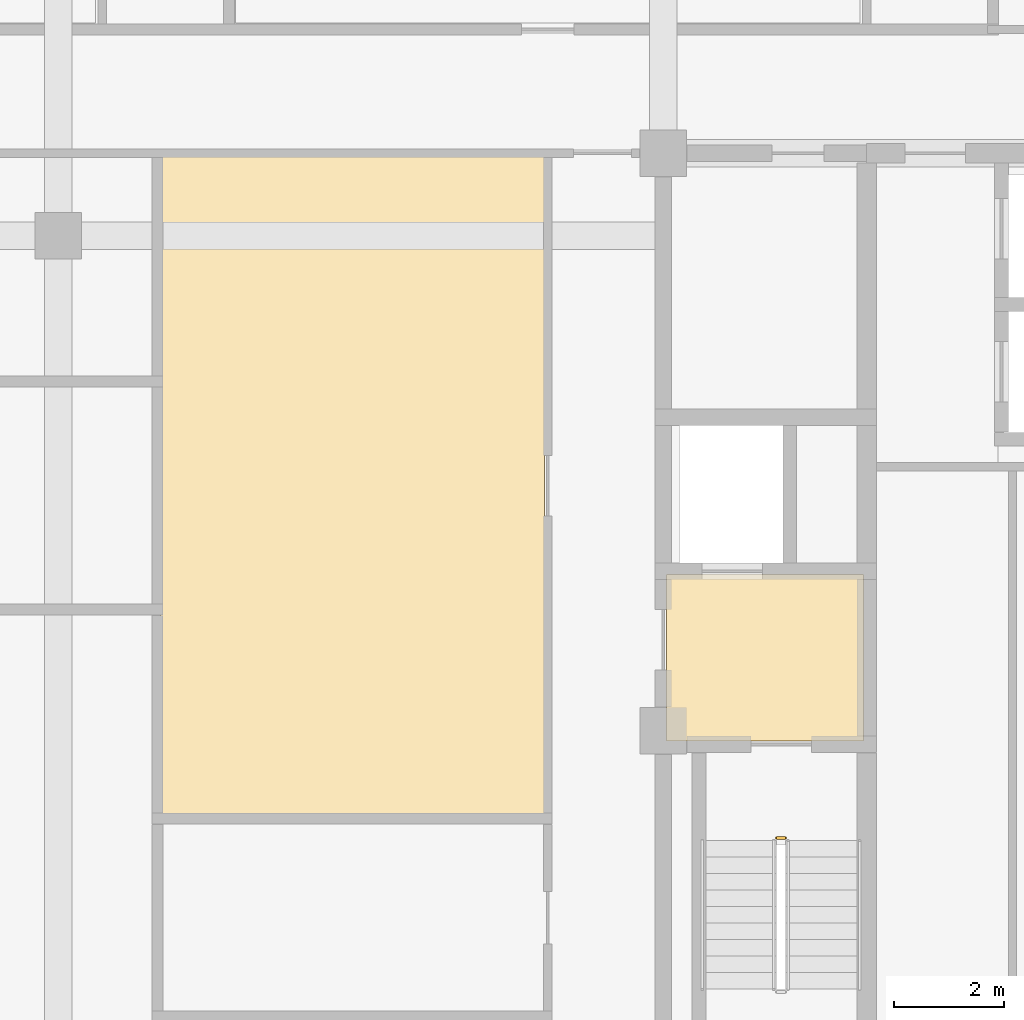
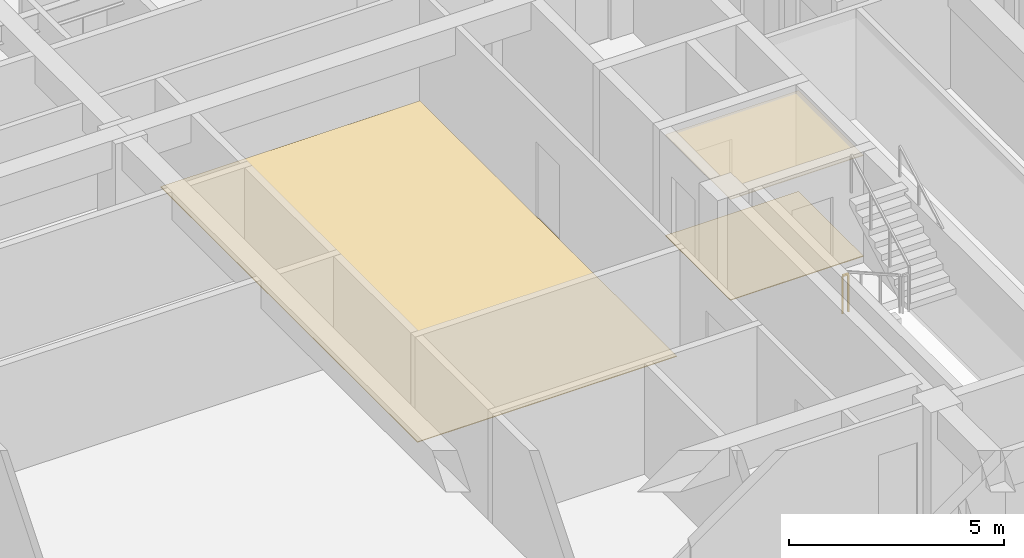
# One storey, part 13 of 14: 3 coverings, 1 railing.
"""IFC4 building model written with IfcOpenShell, lengths in metres."""

import ifcopenshell
import ifcopenshell.guid

model = None  # the IFC model being written
_history = None  # IfcOwnerHistory: only IFC2X3 demands one
_inside = {}  # id of a spatial element -> (the spatial element, [elements in it])
_under = {}  # id of a project, library or spatial element -> (it, [spatial elements below it])
_declared = {}  # id of a project -> (the project, [libraries it declares])
_typed = {}  # id of a type object -> (the type object, [elements of that type])
_made_of = {}  # id of a material, layer set ... -> (it, [elements and type objects made of it])


def new_model(schema):
    """Start an empty IFC model of exactly this schema.

    Asked for "IFC4X3", IfcOpenShell would pick the latest addendum, in which some entities
    have other attributes; the version numbers below select the first issue.
    IFC2X3 requires an IfcOwnerHistory on every rooted entity: one is made here for all.
    """
    global model, _history
    if schema == "IFC4X3":
        model = ifcopenshell.file(schema_version=(4, 3, 0, 0))
    else:
        model = ifcopenshell.file(schema=schema)
    _inside.clear()
    _under.clear()
    _declared.clear()
    _typed.clear()
    _made_of.clear()
    _history = None
    if model.schema == "IFC2X3":
        org = make("IfcOrganization", Name="unknown")
        user = make(
            "IfcPersonAndOrganization",
            ThePerson=make("IfcPerson", FamilyName="unknown"),
            TheOrganization=org,
        )
        app = make(
            "IfcApplication",
            ApplicationDeveloper=org,
            Version="unknown",
            ApplicationFullName="unknown",
            ApplicationIdentifier="unknown",
        )
        _history = make(
            "IfcOwnerHistory",
            OwningUser=user,
            OwningApplication=app,
            ChangeAction="ADDED",
            CreationDate=0,
        )
    return model


def make(cls, **values):
    """One entity of the class cls with the attributes given. An attribute that is None is left unset."""
    return model.create_entity(
        cls, **{name: value for name, value in values.items() if value is not None}
    )


def rooted(cls, **values):
    """An entity with a GlobalId (a new one), such as an element, a storey or a relation."""
    return make(cls, GlobalId=ifcopenshell.guid.new(), OwnerHistory=_history, **values)


def si_unit(unit_type, name, prefix=None):
    """IfcSIUnit, for example si_unit("LENGTHUNIT", "METRE", prefix="MILLI")."""
    return make("IfcSIUnit", UnitType=unit_type, Prefix=prefix, Name=name)


def assignment(units):
    """IfcUnitAssignment: the units of a project."""
    return None if units is None else make("IfcUnitAssignment", Units=units)


def point(xyz):
    """IfcCartesianPoint."""
    return None if xyz is None else make("IfcCartesianPoint", Coordinates=xyz)


def direction(xyz):
    """IfcDirection."""
    return None if xyz is None else make("IfcDirection", DirectionRatios=xyz)


def frame(location, z_axis=None, x_axis=None):
    """IfcAxis2Placement3D, a coordinate frame: its origin and axes. An axis left out is left unset."""
    return make(
        "IfcAxis2Placement3D",
        Location=point(location),
        Axis=direction(z_axis),
        RefDirection=direction(x_axis),
    )


def frame_2d(location, x_axis=None):
    """IfcAxis2Placement2D, a coordinate frame in the plane: its origin and x axis."""
    return make(
        "IfcAxis2Placement2D", Location=point(location), RefDirection=direction(x_axis)
    )


def origin():
    """The frame at (0, 0, 0) with its axes left unset."""
    return frame((0.0, 0.0, 0.0))


def origin_2d():
    """The frame at (0, 0) in the plane with its x axis left unset."""
    return frame_2d((0.0, 0.0))


def place(relative_to, where):
    """IfcLocalPlacement: puts the frame where relative to a parent placement (None: the world)."""
    return make(
        "IfcLocalPlacement", PlacementRelTo=relative_to, RelativePlacement=where
    )


def context(
    kind, dimensions, precision=None, world=None, true_north=None, identifier=None
):
    """IfcGeometricRepresentationContext, for example the 3D "Model" context."""
    return make(
        "IfcGeometricRepresentationContext",
        ContextIdentifier=identifier,
        ContextType=kind,
        CoordinateSpaceDimension=dimensions,
        Precision=precision,
        WorldCoordinateSystem=world,
        TrueNorth=true_north,
    )


def subcontext(parent, identifier, kind, view, scale=None):
    """IfcGeometricRepresentationSubContext, for example "Body" below "Model"."""
    return make(
        "IfcGeometricRepresentationSubContext",
        ContextIdentifier=identifier,
        ContextType=kind,
        ParentContext=parent,
        TargetScale=scale,
        TargetView=view,
    )


def project(units=None, contexts=None):
    """IfcProject with its units and contexts."""
    return rooted(
        "IfcProject",
        Name="project",
        RepresentationContexts=contexts,
        UnitsInContext=assignment(units),
    )


def spatial(cls, under=None, at=None, **own):
    """A site, building, storey or space (cls), placed at a placement, below another one or the project."""
    s = rooted(cls, ObjectPlacement=at, **own)
    if under is not None:
        _under.setdefault(under.id(), (under, []))[1].append(s)
    return s


def polyline(points):
    """IfcPolyline through the points."""
    return make("IfcPolyline", Points=[point(p) for p in points])


def profile(cls, at=None, kind="AREA", **sizes):
    """A parametric profile (cls). Its sizes go by their IFC names, for example OverallWidth=200.0."""
    return make(cls, ProfileType=kind, Position=at, **sizes)


def rectangle(**sizes):
    """IfcRectangleProfileDef."""
    return profile("IfcRectangleProfileDef", **sizes)


def outline(outer, holes=None, kind="AREA"):
    """IfcArbitraryClosedProfileDef: a profile drawn as a closed curve; with holes, ...WithVoids."""
    if holes is None:
        return make("IfcArbitraryClosedProfileDef", ProfileType=kind, OuterCurve=outer)
    return make(
        "IfcArbitraryProfileDefWithVoids",
        ProfileType=kind,
        OuterCurve=outer,
        InnerCurves=holes,
    )


def extrude(swept, where, along, depth):
    """IfcExtrudedAreaSolid: the profile swept, set in the frame where, extruded along a direction by depth."""
    return make(
        "IfcExtrudedAreaSolid",
        SweptArea=swept,
        Position=where,
        ExtrudedDirection=direction(along),
        Depth=depth,
    )


def shape(context_of_items, identifier, shape_type, items):
    """IfcShapeRepresentation: the items that make up one representation, for example the "Body"."""
    return make(
        "IfcShapeRepresentation",
        ContextOfItems=context_of_items,
        RepresentationIdentifier=identifier,
        RepresentationType=shape_type,
        Items=items,
    )


def material(Name=None, Category=None):
    """IfcMaterial."""
    return make("IfcMaterial", Name=Name, Category=Category)


def layer(
    of_material, thickness, ventilated=None, Name=None, Category=None, Priority=None
):
    """IfcMaterialLayer: one layer of a wall or slab, of a material (None: an air gap)."""
    return make(
        "IfcMaterialLayer",
        Material=of_material,
        LayerThickness=thickness,
        IsVentilated=ventilated,
        Name=Name,
        Category=Category,
        Priority=Priority,
    )


def layer_set(layers, Name=None):
    """IfcMaterialLayerSet."""
    return make("IfcMaterialLayerSet", MaterialLayers=layers, LayerSetName=Name)


def made_of(thing, what):
    """Note that an element or type object is made of a material, layer set ...; save() writes the relation."""
    if what is not None:
        _made_of.setdefault(what.id(), (what, []))[1].append(thing)
    return thing


def type_object(cls, material=None, **own):
    """A type object (cls), such as IfcWallType, which elements share."""
    return made_of(rooted(cls, **own), material)


def element(
    cls,
    number,
    at=None,
    inside=None,
    cuts=None,
    type_object=None,
    material=None,
    context=None,
    identifier="Body",
    shape_type=None,
    held_by="IfcProductDefinitionShape",
    body=None,
    shapes=None,
    **own,
):
    """One element of the class cls, such as IfcWall. Its Tag is "e" and its number.

    at: its placement. inside: the storey or other place that contains it. cuts: it is an
    opening in that element (IfcRelVoidsElement). A single representation is given by context,
    identifier, shape_type and body (its items); several are given by shapes. held_by: the class
    of the entity that holds the representations. save() writes the other relations.
    """
    e = rooted(cls, Tag="e%d" % number, ObjectPlacement=at, **own)
    if body is not None:
        shapes = [shape(context, identifier, shape_type, body)]
    if shapes is not None:
        e.Representation = make(held_by, Representations=shapes)
    if inside is not None:
        _inside.setdefault(inside.id(), (inside, []))[1].append(e)
    if cuts is not None:
        rooted(
            "IfcRelVoidsElement", RelatingBuildingElement=cuts, RelatedOpeningElement=e
        )
    if type_object is not None:
        _typed.setdefault(type_object.id(), (type_object, []))[1].append(e)
    return made_of(e, material)


def aggregate(whole, parts):
    """IfcRelAggregates: a whole, such as a stair, and the parts it consists of."""
    return rooted("IfcRelAggregates", RelatingObject=whole, RelatedObjects=parts)


def save(model, path):
    """Write the relations noted so far, then the file.

    IfcRelAggregates (storeys below a building ...), IfcRelContainedInSpatialStructure (elements
    in a storey), IfcRelDefinesByType, IfcRelAssociatesMaterial and IfcRelDeclares: one each for
    every whole, place, type object, material and project.
    """
    for whole, parts in _under.values():
        aggregate(whole, parts)
    for where, things in _inside.values():
        rooted(
            "IfcRelContainedInSpatialStructure",
            RelatedElements=things,
            RelatingStructure=where,
        )
    for kind, things in _typed.values():
        rooted("IfcRelDefinesByType", RelatedObjects=things, RelatingType=kind)
    for what, things in _made_of.values():
        rooted("IfcRelAssociatesMaterial", RelatedObjects=things, RelatingMaterial=what)
    for by, libraries in _declared.values():
        rooted("IfcRelDeclares", RelatingContext=by, RelatedDefinitions=libraries)
    model.write(path)


model = new_model("IFC4")

# Units and contexts
model_context = context("Model", 3, precision=1e-05, world=origin(), true_north=direction((0.0, 1.0)))
body_context = subcontext(model_context, "Body", "Model", "MODEL_VIEW")
ifc_project = project(units=[si_unit("LENGTHUNIT", "METRE"), si_unit("AREAUNIT", "SQUARE_METRE"), si_unit("VOLUMEUNIT", "CUBIC_METRE"), si_unit("PLANEANGLEUNIT", "RADIAN"), si_unit("MASSUNIT", "GRAM", prefix="KILO")], contexts=[model_context])

# Site, building, storey
site_placement = place(None, origin())
site = spatial("IfcSite", under=ifc_project, at=site_placement, CompositionType="ELEMENT")
building_placement = place(site_placement, origin())
building = spatial("IfcBuilding", under=site, at=building_placement, Name="Zulmaris Gate Convention Tower", CompositionType="ELEMENT")
storey_placement = place(building_placement, frame((0.0, 0.0, 198.260009765625)))
storey = spatial("IfcBuildingStorey", under=building, at=storey_placement, Name="L51", CompositionType="ELEMENT", Elevation=198.260009765625)

# Coverings
ifc_material_1 = material(Name="Mineral Fibre Acoustic Ceiling Tile")
ifc_layer_1 = layer(ifc_material_1, 0.02001953125, Name="Mineral Fibre Acoustic Ceiling Tile")
ifc_layer_set_1 = layer_set([ifc_layer_1], Name="Mineral Fibre Acoustic Ceiling Tile")
covering_type_1 = type_object("IfcCoveringType", Name="CLG-ACOUSTIC-600", PredefinedType="CEILING", material=ifc_layer_set_1)
covering_1_placement = place(storey_placement, frame((0.0, 0.0, 2.869873046875)))
element("IfcCovering", 1, at=covering_1_placement, inside=storey, type_object=covering_type_1, Name="CLG-L51-R08", PredefinedType="CEILING", context=body_context, shape_type="SweptSolid", body=[
    extrude(outline(polyline([(11.06005859375, -0.18994140625), (14.639892578125, -0.18994140625), (14.639892578125, 2.840087890625), (11.06005859375, 2.840087890625), (11.06005859375, -0.18994140625)])), origin(), (0.0, 0.0, 1.0), 0.02001953125),
])
ifc_material_2 = material(Name="Woven Acoustic Wool Carpet Tile")
ifc_layer_2 = layer(ifc_material_2, 0.02001953125, Name="Woven Acoustic Wool Carpet Tile")
ifc_layer_set_2 = layer_set([ifc_layer_2], Name="Woven Acoustic Wool Carpet Tile")
covering_type_2 = type_object("IfcCoveringType", Name="FLR-CARPET-12", PredefinedType="FLOORING", material=ifc_layer_set_2)
covering_2_placement = place(storey_placement, origin())
element("IfcCovering", 2, at=covering_2_placement, inside=storey, type_object=covering_type_2, Name="FLR-L51-R08", PredefinedType="FLOORING", context=body_context, shape_type="SweptSolid", body=[
    extrude(outline(polyline([(11.06005859375, -0.18994140625), (14.639892578125, -0.18994140625), (14.639892578125, 2.840087890625), (11.06005859375, 2.840087890625), (11.06005859375, -0.18994140625)])), origin(), (0.0, 0.0, 1.0), 0.02001953125),
])
ifc_material_3 = material(Name="Engineered Teak Parquet Flooring")
ifc_layer_3 = layer(ifc_material_3, 0.02001953125, Name="Engineered Teak Parquet Flooring")
ifc_layer_set_3 = layer_set([ifc_layer_3], Name="Engineered Teak Parquet Flooring")
covering_type_3 = type_object("IfcCoveringType", Name="FLR-TIMBER-18", PredefinedType="FLOORING", material=ifc_layer_set_3)
covering_3_placement = place(storey_placement, origin())
element("IfcCovering", 3, at=covering_3_placement, inside=storey, type_object=covering_type_3, Name="FLR-L51-R49", PredefinedType="FLOORING", context=body_context, shape_type="SweptSolid", body=[
    extrude(outline(polyline([(1.860107421875, -1.5400390625), (8.840087890625, -1.5400390625), (8.840087890625, 10.43994140625), (1.860107421875, 10.43994140625), (1.860107421875, -1.5400390625)])), origin(), (0.0, 0.0, 1.0), 0.02001953125),
])

# Railing
ifc_material_4 = material(Name="Painted Galvanised Steel", Category="steel")
railing_type = type_object("IfcRailingType", Name="RL-STG-1150", PredefinedType="GUARDRAIL", material=ifc_material_4)
railing_placement = place(storey_placement, frame((13.06005859375, -1.949951171875, 0.0)))
element("IfcRailing", 4, at=railing_placement, inside=storey, type_object=railing_type, Name="L51 ST-2 stair guard 4", PredefinedType="GUARDRAIL", context=body_context, shape_type="SweptSolid", body=[
    extrude(rectangle(XDim=0.048095703125, YDim=0.048095703125, at=origin_2d()), frame((0.0, 0.0, 1.076171875), z_axis=(1.0, 0.0, 0.0), x_axis=(0.0, 1.0, 0.0)), (0.0, 0.0, 1.0), 0.159912109375),
    extrude(rectangle(XDim=0.0419921875, YDim=0.0419921875, at=origin_2d()), origin(), (0.0, 0.0, 1.0), 1.052001953125),
    extrude(rectangle(XDim=0.0419921875, YDim=0.0419921875, at=origin_2d()), frame((0.159912109375, 0.0, 0.0)), (0.0, 0.0, 1.0), 1.052001953125),
])

save(model, "model.ifc")
